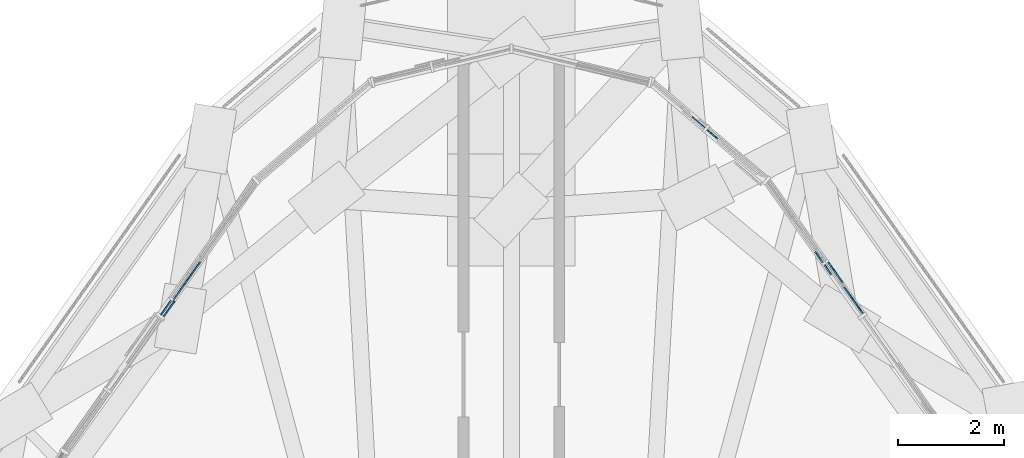
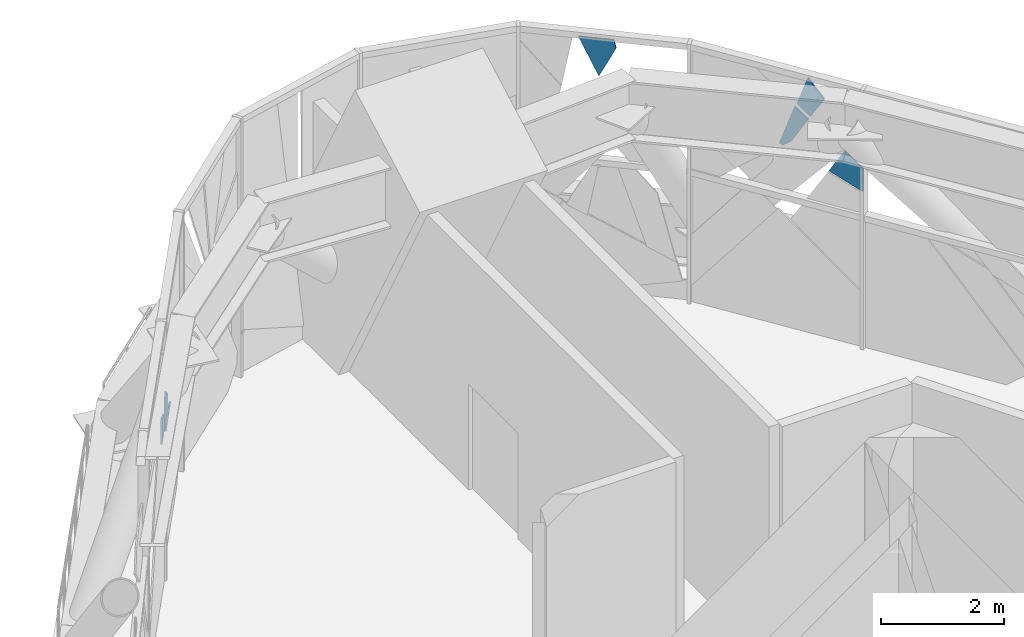
# One storey, part 21 of 35: 7 plates, 3 elements without a shape of their own.
"""IFC4 building model written with IfcOpenShell, lengths in metres."""

from ifc_helpers import new_model, si_unit, direction, frame, origin, place, context, subcontext, project, spatial, polyline, outline, extrude, material, layer, layer_set, type_object, element, aggregate, save


model = new_model("IFC4")

# Units and contexts
model_context = context("Model", 3, precision=1e-05, world=origin(), true_north=direction((0.0, 1.0)))
body_context = subcontext(model_context, "Body", "Model", "MODEL_VIEW")
ifc_project = project(units=[si_unit("LENGTHUNIT", "METRE"), si_unit("AREAUNIT", "SQUARE_METRE"), si_unit("VOLUMEUNIT", "CUBIC_METRE"), si_unit("PLANEANGLEUNIT", "RADIAN"), si_unit("MASSUNIT", "GRAM", prefix="KILO")], contexts=[model_context])

# Site, building, storey
site_placement = place(None, origin())
site = spatial("IfcSite", under=ifc_project, at=site_placement, CompositionType="ELEMENT")
building_placement = place(site_placement, origin())
building = spatial("IfcBuilding", under=site, at=building_placement, Name="Mestral Congress Tower", CompositionType="ELEMENT")
storey_placement = place(building_placement, frame((0.0, 0.0, 196.199951171875)))
storey = spatial("IfcBuildingStorey", under=building, at=storey_placement, Name="L46", CompositionType="ELEMENT", Elevation=196.199951171875)

# Curtain wall, plate
ifc_material_1 = material(Name="Clear low-emissivity double glazing", Category="glass")
curtain_wall_type = type_object("IfcCurtainWallType", Name="Facade refuge band screen", PredefinedType="USERDEFINED", material=ifc_material_1)
placement = place(storey_placement, origin())
curtain_wall_1 = element("IfcCurtainWall", 1, at=placement, inside=storey, type_object=curtain_wall_type, Name="Facade refuge band screen corner 2", ObjectType="CURTAIN WALL", PredefinedType="USERDEFINED")
ifc_material_2 = material(Name="Anodised aluminium", Category="aluminium")
ifc_layer_1 = layer(ifc_material_2, 0.028076171875)
ifc_layer_set_1 = layer_set([ifc_layer_1], Name="Anodised aluminium")
plate_type_1 = type_object("IfcPlateType", Name="Facade refuge band screen brace cover panel", PredefinedType="CURTAIN_PANEL", material=ifc_layer_set_1)
plate_1_placement = place(storey_placement, frame((3.401611328125, 29.500244140625, 5.030029296875), z_axis=(0.648157127498, 0.761504134679, 0.001947033545), x_axis=(0.316271313722, -0.266867895971, -0.910359259972)))
plate_1 = element("IfcPlate", 2, at=plate_1_placement, type_object=plate_type_1, Name="Facade refuge band screen brace cover panel", PredefinedType="CURTAIN_PANEL", context=body_context, shape_type="SweptSolid", body=[
    extrude(outline(polyline([(0.0, 0.0), (0.8251914842451595, 0.0), (0.4079909974390371, -0.5034443571114274), (0.24331600951567706, -0.5352763488968462), (0.0, 0.0)])), origin(), (0.0, 0.0, -1.0), 0.028076171875),
])
aggregate(curtain_wall_1, [plate_1])

# Curtain wall, plates
curtain_wall_2 = element("IfcCurtainWall", 3, at=placement, inside=storey, type_object=curtain_wall_type, Name="Facade refuge band screen face 2", ObjectType="CURTAIN WALL", PredefinedType="USERDEFINED")
ifc_layer_2 = layer(ifc_material_1, 0.028076171875)
ifc_layer_set_2 = layer_set([ifc_layer_2], Name="Clear low-emissivity double glazing")
plate_type_2 = type_object("IfcPlateType", Name="Facade refuge band screen panel", PredefinedType="CURTAIN_PANEL", material=ifc_layer_set_2)
plate_2_placement = place(storey_placement, frame((5.846923828125, 26.78369140625, 3.74169921875), z_axis=(0.816997266641, 0.576638814028, 0.001773261551), x_axis=(0.291321725081, -0.415402351913, 0.861726487072)))
plate_2 = element("IfcPlate", 4, at=plate_2_placement, type_object=plate_type_2, Name="Refuge screen glass unit", PredefinedType="CURTAIN_PANEL", context=body_context, shape_type="SweptSolid", body=[
    extrude(outline(polyline([(0.0, 0.0), (0.5907131116697313, 0.0), (0.6296701995804264, -0.3086807373469578), (-0.2038439697752812, -0.13881986086196377), (-0.19257260717819824, -0.06818963623889912), (0.0, 0.0)])), origin(), (0.0, 0.0, -1.0), 0.028076171875),
])
plate_3_placement = place(storey_placement, frame((6.0625, 26.63037109375, 5.011962890625), z_axis=(0.816976661926, 0.57666819149, 0.001711955683), x_axis=(-0.186062217905, 0.266405435942, -0.945731988868)))
plate_3 = element("IfcPlate", 5, at=plate_3_placement, type_object=plate_type_2, Name="Refuge screen glass unit", PredefinedType="CURTAIN_PANEL", context=body_context, shape_type="SweptSolid", body=[
    extrude(outline(polyline([(0.0, 0.0), (0.603812725704364, 0.0), (0.7036010233298386, -0.29485915561054826), (0.22812411762904264, -0.3916789028248749), (0.0, 0.0)])), origin(), (0.0, 0.0, -1.0), 0.028076171875),
])
plate_4_placement = place(storey_placement, frame((6.616455078125, 25.80126953125, 3.05908203125), z_axis=(0.81672394307, 0.577024806704, 0.002091235122), x_axis=(-0.001664590128, -0.001268090942, 0.99999781054)))
plate_4 = element("IfcPlate", 6, at=plate_4_placement, type_object=plate_type_2, Name="Refuge screen glass unit", PredefinedType="CURTAIN_PANEL", context=body_context, shape_type="SweptSolid", body=[
    extrude(outline(polyline([(0.0, 0.0), (0.4614273253306145, 8.131516293641283e-20), (0.7140882705641699, -0.327536053231867), (0.23848079025618021, -0.6073706423765469), (0.0, 0.0)])), origin(), (0.0, 0.0, -1.0), 0.028076171875),
])
aggregate(curtain_wall_2, [plate_2, plate_3, plate_4])

curtain_wall_3 = element("IfcCurtainWall", 7, at=placement, inside=storey, type_object=curtain_wall_type, Name="Facade refuge band screen face 3", ObjectType="CURTAIN WALL", PredefinedType="USERDEFINED")
plate_5_placement = place(storey_placement, frame((-5.857666015625, 26.7724609375, 2.66015625), z_axis=(-0.816695387821, 0.577065089872, 0.002127337237), x_axis=(-0.367666883895, -0.52317740902, 0.768834482303)))
plate_5 = element("IfcPlate", 8, at=plate_5_placement, type_object=plate_type_2, Name="Refuge screen glass unit", PredefinedType="CURTAIN_PANEL", context=body_context, shape_type="SweptSolid", body=[
    extrude(outline(polyline([(0.0, 0.0), (0.004128282776974699, 0.0), (0.8432151216936121, -0.44304504242873866), (0.5522137804416302, -0.6639528380236213), (0.0, 0.0)])), origin(), (0.0, 0.0, -1.0), 0.028076171875),
])
plate_6_placement = place(storey_placement, frame((-6.380615234375, 26.08447265625, 2.66015625), z_axis=(-0.816785165257, 0.576938310396, 0.002044459033), x_axis=(-0.023751312703, -0.037165480098, 0.999026827585)))
plate_6 = element("IfcPlate", 9, at=plate_6_placement, type_object=plate_type_2, Name="Refuge screen glass unit", PredefinedType="CURTAIN_PANEL", context=body_context, shape_type="SweptSolid", body=[
    extrude(outline(polyline([(0.0, 0.0), (0.3653461108567466, 0.0), (0.5254640558997534, -0.3446963360374613), (0.016193769518166236, -0.3671800273270622), (0.0, 0.0)])), origin(), (0.0, 0.0, -1.0), 0.028076171875),
])
plate_7_placement = place(storey_placement, frame((-6.544189453125, 25.750244140625, 3.169921875), z_axis=(-0.816747416588, 0.576992011962, 0.00196866178), x_axis=(0.532849086576, 0.755562054837, -0.381048333187)))
plate_7 = element("IfcPlate", 10, at=plate_7_placement, type_object=plate_type_2, Name="Refuge screen glass unit", PredefinedType="CURTAIN_PANEL", context=body_context, shape_type="SweptSolid", body=[
    extrude(outline(polyline([(0.0, 0.0), (0.3799400710059819, 0.0), (0.1975466737086772, -0.3924842361736051), (-0.2115258671644985, -0.5127729497473489), (0.0, 0.0)])), origin(), (0.0, 0.0, -1.0), 0.028076171875),
])
aggregate(curtain_wall_3, [plate_5, plate_6, plate_7])

save(model, "model.ifc")
